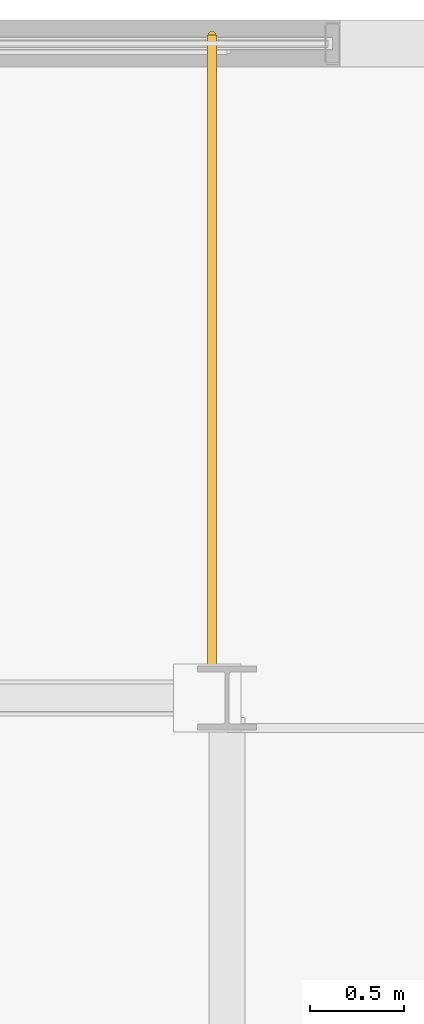
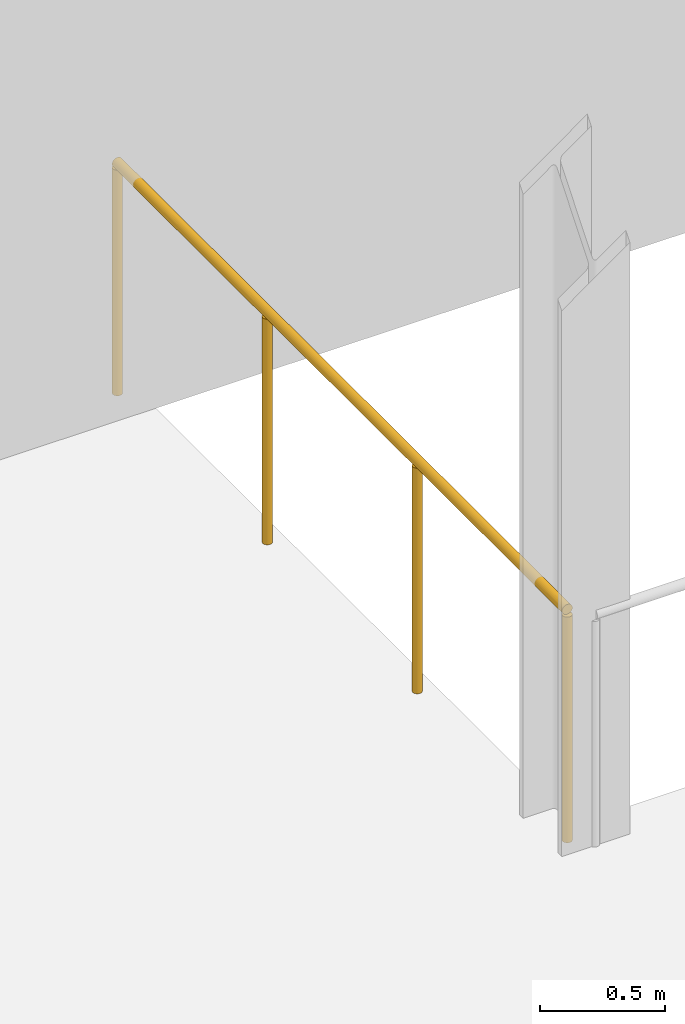
# One storey, part 39 of 39: 1 railing.
"""IFC4 building model written with IfcOpenShell, lengths in metres."""

from ifc_helpers import new_model, si_unit, direction, frame, origin, origin_2d, place, context, subcontext, project, spatial, circle, extrude, material, type_object, element, save


model = new_model("IFC4")

# Units and contexts
model_context = context("Model", 3, precision=1e-05, world=origin(), true_north=direction((0.0, 1.0)))
body_context = subcontext(model_context, "Body", "Model", "MODEL_VIEW")
ifc_project = project(units=[si_unit("LENGTHUNIT", "METRE"), si_unit("AREAUNIT", "SQUARE_METRE"), si_unit("VOLUMEUNIT", "CUBIC_METRE"), si_unit("PLANEANGLEUNIT", "RADIAN"), si_unit("MASSUNIT", "GRAM", prefix="KILO")], contexts=[model_context])

# Site, building, storey
site_placement = place(None, origin())
site = spatial("IfcSite", under=ifc_project, at=site_placement, CompositionType="ELEMENT")
building_placement = place(site_placement, origin())
building = spatial("IfcBuilding", under=site, at=building_placement, Name="Korimba Cascade Residences", CompositionType="ELEMENT")
storey_placement = place(building_placement, frame((0.0, 0.0, 264.199951171875)))
storey = spatial("IfcBuildingStorey", under=building, at=storey_placement, Name="RF", CompositionType="ELEMENT", Elevation=264.199951171875)

# Railing
ifc_material = material(Name="Painted Galvanised Steel Terrace Guardrail", Category="steel")
railing_type = type_object("IfcRailingType", Name="RLG-TER-1150", PredefinedType="GUARDRAIL", material=ifc_material)
railing_placement = place(storey_placement, frame((128.320068359375, 91.1201171875, 0.0)))
element("IfcRailing", 1, at=railing_placement, inside=storey, type_object=railing_type, Name="RF Perimeter Guardrail RLG-RF-CRN-PERIM-06", PredefinedType="GUARDRAIL", context=body_context, shape_type="SweptSolid", body=[
    extrude(circle(Radius=0.02392578125, at=origin_2d()), frame((0.0, 0.0, 1.1259765625), z_axis=(0.0, 1.0, 0.0), x_axis=(-1.0, 0.0, 0.0)), (0.0, 0.0, 1.0), 3.599853515625),
    extrude(circle(Radius=0.02099609375, at=origin_2d()), origin(), (0.0, 0.0, 1.0), 1.101806640625),
    extrude(circle(Radius=0.02099609375, at=origin_2d()), frame((0.0, 1.199951171875, 0.0)), (0.0, 0.0, 1.0), 1.101806640625),
    extrude(circle(Radius=0.02099609375, at=origin_2d()), frame((0.0, 2.39990234375, 0.0)), (0.0, 0.0, 1.0), 1.101806640625),
    extrude(circle(Radius=0.02099609375, at=origin_2d()), frame((0.0, 3.599853515625, 0.0)), (0.0, 0.0, 1.0), 1.101806640625),
])

save(model, "model.ifc")
